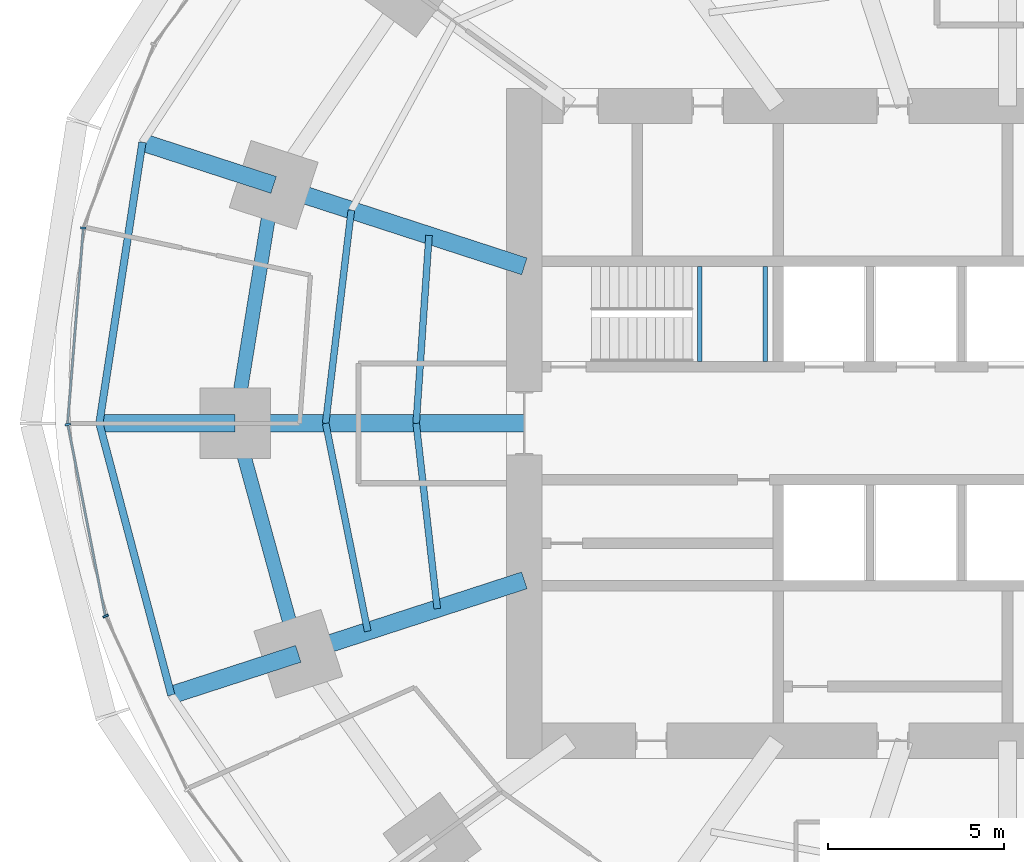
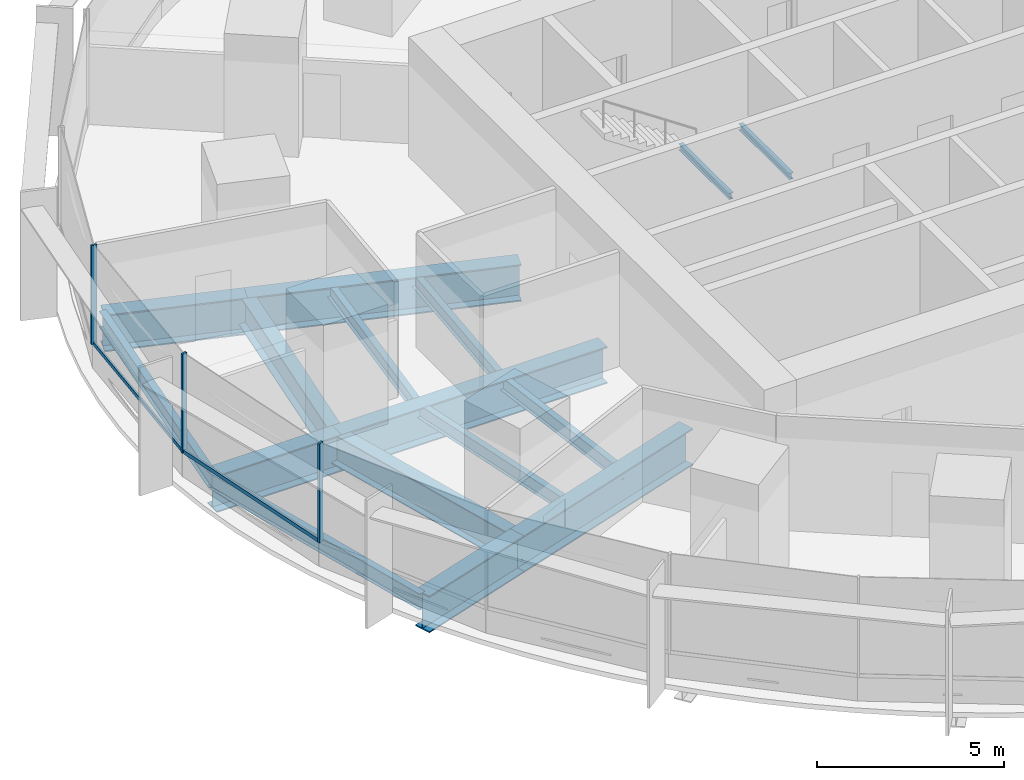
# One storey, part 4 of 15: 16 beams, 5 members, 2 elements without a shape of their own.
"""IFC4 building model written with IfcOpenShell, lengths in metres."""

from ifc_helpers import new_model, si_unit, direction, frame, origin, origin_2d, place, context, subcontext, project, spatial, rectangle, i_section, extrude, material, material_profile, profile_set, type_object, element, aggregate, save


model = new_model("IFC4")

# Units and contexts
model_context = context("Model", 3, precision=1e-05, world=origin(), true_north=direction((0.0, 1.0)))
body_context = subcontext(model_context, "Body", "Model", "MODEL_VIEW")
ifc_project = project(units=[si_unit("LENGTHUNIT", "METRE"), si_unit("AREAUNIT", "SQUARE_METRE"), si_unit("VOLUMEUNIT", "CUBIC_METRE"), si_unit("PLANEANGLEUNIT", "RADIAN"), si_unit("MASSUNIT", "GRAM", prefix="KILO")], contexts=[model_context])

# Site, building, storey
site_placement = place(None, origin())
site = spatial("IfcSite", under=ifc_project, at=site_placement, CompositionType="ELEMENT")
building_placement = place(site_placement, origin())
building = spatial("IfcBuilding", under=site, at=building_placement, Name="Marramba Exchange Tower", CompositionType="ELEMENT")
storey_placement = place(building_placement, frame((0.0, 0.0, 61.60009765625)))
storey = spatial("IfcBuildingStorey", under=building, at=storey_placement, Name="L14", CompositionType="ELEMENT", Elevation=61.60009765625)

# Beams
ifc_material_1 = material(Name="Steel AS/NZS 3679.2 grade 300", Category="steel")
ifc_material_profile_1 = material_profile(ifc_material_1, i_section(OverallWidth=0.5, OverallDepth=1.199951171875, WebThickness=0.01611328125, FlangeThickness=0.0400390625, at=origin_2d()), Name="1200WB455")
ifc_profile_set_1 = profile_set([ifc_material_profile_1], Name="Steel AS/NZS 3679.2 grade 300")
beam_type_1 = type_object("IfcBeamType", Name="Cantilever girder 1200WB455", PredefinedType="BEAM", material=ifc_profile_set_1)
beam_1_placement = place(storey_placement, frame((-20.808349609375, 6.760986328125, -0.760009765625), z_axis=(-0.951058833549, 0.309009862508, 0.0), x_axis=(-0.309009862508, -0.951058833549, 0.0)))
element("IfcBeam", 1, at=beam_1_placement, inside=storey, type_object=beam_type_1, Name="Cantilever girder L14 TC10", PredefinedType="BEAM", context=body_context, shape_type="SweptSolid", body=[
    extrude(i_section(OverallWidth=0.5, OverallDepth=1.199951171875, WebThickness=0.01611328125, FlangeThickness=0.0400390625, at=origin_2d()), origin(), (0.0, 0.0, 1.0), 3.91162109375),
])
beam_2_placement = place(storey_placement, frame((-21.89990234375, 0.0, -0.760009765625), z_axis=(-1.0, 0.0, 0.0), x_axis=(0.0, -1.0, 0.0)))
element("IfcBeam", 2, at=beam_2_placement, inside=storey, type_object=beam_type_1, Name="Cantilever girder L14 TC11", PredefinedType="BEAM", context=body_context, shape_type="SweptSolid", body=[
    extrude(i_section(OverallWidth=0.5, OverallDepth=1.199951171875, WebThickness=0.01611328125, FlangeThickness=0.0400390625, at=origin_2d()), origin(), (0.0, 0.0, 1.0), 3.85009765625),
])
beam_3_placement = place(storey_placement, frame((-20.109375, -6.533935546875, -0.760009765625), z_axis=(-0.951048759501, -0.309040866314, 0.0), x_axis=(0.309040866314, -0.951048759501, 0.0)))
element("IfcBeam", 3, at=beam_3_placement, inside=storey, type_object=beam_type_1, Name="Cantilever girder L14 TC12", PredefinedType="BEAM", context=body_context, shape_type="SweptSolid", body=[
    extrude(i_section(OverallWidth=0.5, OverallDepth=1.199951171875, WebThickness=0.01611328125, FlangeThickness=0.0400390625, at=origin_2d()), origin(), (0.0, 0.0, 1.0), 3.78564453125),
])
ifc_material_2 = material(Name="Steel AS/NZS 3679.1 grade 300", Category="steel")
ifc_material_profile_2 = material_profile(ifc_material_2, i_section(OverallWidth=0.18994140625, OverallDepth=0.4541015625, WebThickness=0.008544921875, FlangeThickness=0.0126953125, FilletRadius=0.011474609375, at=origin_2d()), Name="460UB67.1")
ifc_profile_set_2 = profile_set([ifc_material_profile_2], Name="Steel AS/NZS 3679.1 grade 300")
beam_type_2 = type_object("IfcBeamType", Name="Floor joist 460UB67.1", PredefinedType="JOIST", material=ifc_profile_set_2)
beam_4_placement = place(storey_placement, frame((-16.40283203125, 5.32958984375, -0.38720703125), z_axis=(-0.068096259546, -0.99767875563, 0.0), x_axis=(0.99767875563, -0.068096259546, 0.0)))
element("IfcBeam", 4, at=beam_4_placement, inside=storey, type_object=beam_type_2, Name="Joist L14 bay 10 row 1", PredefinedType="JOIST", context=body_context, shape_type="SweptSolid", body=[
    extrude(i_section(OverallWidth=0.18994140625, OverallDepth=0.4541015625, WebThickness=0.008544921875, FlangeThickness=0.0126953125, FilletRadius=0.011474609375, at=origin_2d()), origin(), (0.0, 0.0, 1.0), 5.342041015625),
])
beam_5_placement = place(storey_placement, frame((-18.60546875, 6.04541015625, -0.38720703125), z_axis=(-0.119523078538, -0.992831422597, 0.0), x_axis=(0.992831422597, -0.119523078538, 0.0)))
element("IfcBeam", 5, at=beam_5_placement, inside=storey, type_object=beam_type_2, Name="Joist L14 bay 10 row 2", PredefinedType="JOIST", context=body_context, shape_type="SweptSolid", body=[
    extrude(i_section(OverallWidth=0.18994140625, OverallDepth=0.4541015625, WebThickness=0.008544921875, FlangeThickness=0.0126953125, FilletRadius=0.011474609375, at=origin_2d()), origin(), (0.0, 0.0, 1.0), 6.089111328125),
])
beam_6_placement = place(storey_placement, frame((-16.7666015625, 0.0, -0.38720703125), z_axis=(0.112888968594, -0.993607609054, 0.0), x_axis=(0.993607609054, 0.112888968594, 0.0)))
element("IfcBeam", 6, at=beam_6_placement, inside=storey, type_object=beam_type_2, Name="Joist L14 bay 11 row 1", PredefinedType="JOIST", context=body_context, shape_type="SweptSolid", body=[
    extrude(i_section(OverallWidth=0.18994140625, OverallDepth=0.4541015625, WebThickness=0.008544921875, FlangeThickness=0.0126953125, FilletRadius=0.011474609375, at=origin_2d()), origin(), (0.0, 0.0, 1.0), 5.28759765625),
])
beam_7_placement = place(storey_placement, frame((-19.333251953125, 0.0, -0.38720703125), z_axis=(0.198489047047, -0.980103105904, 0.0), x_axis=(0.980103105904, 0.198489047047, 0.0)))
element("IfcBeam", 7, at=beam_7_placement, inside=storey, type_object=beam_type_2, Name="Joist L14 bay 11 row 2", PredefinedType="JOIST", context=body_context, shape_type="SweptSolid", body=[
    extrude(i_section(OverallWidth=0.18994140625, OverallDepth=0.4541015625, WebThickness=0.008544921875, FlangeThickness=0.0126953125, FilletRadius=0.011474609375, at=origin_2d()), origin(), (0.0, 0.0, 1.0), 6.013427734375),
])
ifc_material_profile_3 = material_profile(ifc_material_1, i_section(OverallWidth=0.5, OverallDepth=1.199951171875, WebThickness=0.01611328125, FlangeThickness=0.0400390625, at=origin_2d()), Name="1200WB455")
ifc_profile_set_3 = profile_set([ifc_material_profile_3], Name="Steel AS/NZS 3679.2 grade 300")
beam_type_3 = type_object("IfcBeamType", Name="Radial girder 1200WB455", PredefinedType="BEAM", material=ifc_profile_set_3)
beam_8_placement = place(storey_placement, frame((-13.699951171875, 4.451416015625, -0.760009765625), z_axis=(-0.951059990189, 0.309006302624, 0.0), x_axis=(-0.309006302624, -0.951059990189, 0.0)))
element("IfcBeam", 8, at=beam_8_placement, inside=storey, type_object=beam_type_3, Name="Radial girder L14 TC10", PredefinedType="BEAM", context=body_context, shape_type="SweptSolid", body=[
    extrude(i_section(OverallWidth=0.5, OverallDepth=1.199951171875, WebThickness=0.01611328125, FlangeThickness=0.0400390625, at=origin_2d()), origin(), (0.0, 0.0, 1.0), 7.47412109375),
])
beam_9_placement = place(storey_placement, frame((-13.699951171875, 0.0, -0.760009765625), z_axis=(-1.0, 0.0, 0.0), x_axis=(0.0, -1.0, 0.0)))
element("IfcBeam", 9, at=beam_9_placement, inside=storey, type_object=beam_type_3, Name="Radial girder L14 TC11", PredefinedType="BEAM", context=body_context, shape_type="SweptSolid", body=[
    extrude(i_section(OverallWidth=0.5, OverallDepth=1.199951171875, WebThickness=0.01611328125, FlangeThickness=0.0400390625, at=origin_2d()), origin(), (0.0, 0.0, 1.0), 8.199951171875),
])
beam_10_placement = place(storey_placement, frame((-13.699951171875, -4.451416015625, -0.760009765625), z_axis=(-0.951057759669, -0.309013167637, 0.0), x_axis=(0.309013167637, -0.951057759669, 0.0)))
element("IfcBeam", 10, at=beam_10_placement, inside=storey, type_object=beam_type_3, Name="Radial girder L14 TC12", PredefinedType="BEAM", context=body_context, shape_type="SweptSolid", body=[
    extrude(i_section(OverallWidth=0.5, OverallDepth=1.199951171875, WebThickness=0.01611328125, FlangeThickness=0.0400390625, at=origin_2d()), origin(), (0.0, 0.0, 1.0), 6.7392578125),
])
ifc_material_profile_4 = material_profile(ifc_material_1, i_section(OverallWidth=0.39990234375, OverallDepth=1.0, WebThickness=0.01611328125, FlangeThickness=0.031982421875, at=origin_2d()), Name="1000WB322")
ifc_profile_set_4 = profile_set([ifc_material_profile_4], Name="Steel AS/NZS 3679.2 grade 300")
beam_type_4 = type_object("IfcBeamType", Name="Ring beam 1000WB322", PredefinedType="SPANDREL", material=ifc_profile_set_4)
beam_11_placement = place(storey_placement, frame((-20.808349609375, 6.760986328125, -0.66015625), z_axis=(-0.159384865399, -0.987216523708, 0.0), x_axis=(0.987216523708, -0.159384865399, 0.0)))
element("IfcBeam", 11, at=beam_11_placement, inside=storey, type_object=beam_type_4, Name="Ring beam L14 TC10-TC11", PredefinedType="SPANDREL", context=body_context, shape_type="SweptSolid", body=[
    extrude(i_section(OverallWidth=0.39990234375, OverallDepth=1.0, WebThickness=0.01611328125, FlangeThickness=0.031982421875, at=origin_2d()), origin(), (0.0, 0.0, 1.0), 6.8486328125),
])
beam_12_placement = place(storey_placement, frame((-21.89990234375, 0.0, -0.66015625), z_axis=(0.264291166956, -0.964442937176, 0.0), x_axis=(0.964442937176, 0.264291166956, 0.0)))
element("IfcBeam", 12, at=beam_12_placement, inside=storey, type_object=beam_type_4, Name="Ring beam L14 TC11-TC12", PredefinedType="SPANDREL", context=body_context, shape_type="SweptSolid", body=[
    extrude(i_section(OverallWidth=0.39990234375, OverallDepth=1.0, WebThickness=0.01611328125, FlangeThickness=0.031982421875, at=origin_2d()), origin(), (0.0, 0.0, 1.0), 6.77490234375),
])
ifc_material_profile_5 = material_profile(ifc_material_2, i_section(OverallWidth=0.208984375, OverallDepth=0.528076171875, WebThickness=0.009521484375, FlangeThickness=0.01318359375, FilletRadius=0.013916015625, at=origin_2d()), Name="530UB82.0")
ifc_profile_set_5 = profile_set([ifc_material_profile_5], Name="Steel AS/NZS 3679.1 grade 300")
beam_type_5 = type_object("IfcBeamType", Name="Slab edge beam 530UB82.0", PredefinedType="SPANDREL", material=ifc_profile_set_5)
beam_13_placement = place(storey_placement, frame((-24.528564453125, 7.9697265625, -0.424072265625), z_axis=(-0.151490591645, -0.988458699513, 0.0), x_axis=(0.988458699513, -0.151490591645, 0.0)))
element("IfcBeam", 13, at=beam_13_placement, inside=storey, type_object=beam_type_5, Name="Slab edge beam L14 TC10-TC11", PredefinedType="SPANDREL", context=body_context, shape_type="SweptSolid", body=[
    extrude(i_section(OverallWidth=0.208984375, OverallDepth=0.528076171875, WebThickness=0.009521484375, FlangeThickness=0.01318359375, FilletRadius=0.013916015625, at=origin_2d()), origin(), (0.0, 0.0, 1.0), 8.062744140625),
])
beam_14_placement = place(storey_placement, frame((-25.75, 0.0, -0.424072265625), z_axis=(0.25601296674, -0.966673347549, 0.0), x_axis=(0.966673347549, 0.25601296674, 0.0)))
element("IfcBeam", 14, at=beam_14_placement, inside=storey, type_object=beam_type_5, Name="Slab edge beam L14 TC11-TC12", PredefinedType="SPANDREL", context=body_context, shape_type="SweptSolid", body=[
    extrude(i_section(OverallWidth=0.208984375, OverallDepth=0.528076171875, WebThickness=0.009521484375, FlangeThickness=0.01318359375, FilletRadius=0.013916015625, at=origin_2d()), origin(), (0.0, 0.0, 1.0), 7.969482421875),
])
ifc_material_profile_6 = material_profile(ifc_material_2, i_section(OverallWidth=0.133056640625, OverallDepth=0.202880859375, WebThickness=0.005859375, FlangeThickness=0.0078125, FilletRadius=0.0087890625, at=origin_2d()), Name="200UB25.4")
ifc_profile_set_6 = profile_set([ifc_material_profile_6], Name="Steel AS/NZS 3679.1 grade 300")
beam_type_6 = type_object("IfcBeamType", Name="Stair landing beam 200UB25.4", PredefinedType="BEAM", material=ifc_profile_set_6)
for number, where, z_axis, x_axis, name in (
    (15, (-8.723388671875, 1.75, 1.79833984375), (0.0, 1.0, 0.0), (-1.0, 0.0, 0.0), "Stair landing beam SLB1 ST1 L14 1"),
    (16, (-6.866455078125, 1.75, 1.79833984375), (0.0, 1.0, 0.0), (-1.0, 0.0, 0.0), "Stair landing beam SLB1 ST1 L14 2"),
):
    element("IfcBeam", number, at=place(storey_placement, frame(where, z_axis=z_axis, x_axis=x_axis)), inside=storey, type_object=beam_type_6, Name=name, PredefinedType="BEAM", context=body_context, shape_type="SweptSolid", body=[
        extrude(i_section(OverallWidth=0.133056640625, OverallDepth=0.202880859375, WebThickness=0.005859375, FlangeThickness=0.0078125, FilletRadius=0.0087890625, at=origin_2d()), origin(), (0.0, 0.0, 1.0), 2.699951171875),
    ])

# Curtain wall, member
ifc_material_3 = material(Name="Aluminium framing, bronze anodised", Category="aluminium")
curtain_wall_type = type_object("IfcCurtainWallType", Name="Trading floor ribbon curtain wall", PredefinedType="USERDEFINED", material=ifc_material_3)
curtain_wall_1_placement = place(storey_placement, origin())
curtain_wall_1 = element("IfcCurtainWall", 17, at=curtain_wall_1_placement, inside=storey, type_object=curtain_wall_type, Name="Curtain wall CW3 L14 F11-F15", ObjectType="RIBBON CURTAIN WALL", PredefinedType="USERDEFINED")
ifc_material_4 = material(Name="Aluminium mullion, bronze anodised", Category="aluminium")
ifc_material_profile_7 = material_profile(ifc_material_4, rectangle(XDim=0.159912109375, YDim=0.06005859375, at=origin_2d()), Name="CW3 mullion 60x160")
ifc_profile_set_7 = profile_set([ifc_material_profile_7], Name="Aluminium mullion, bronze anodised")
member_type_1 = type_object("IfcMemberType", Name="Trading floor ribbon curtain wall mullion", PredefinedType="MULLION", material=ifc_profile_set_7)
member_1_placement = place(storey_placement, frame((-26.203857421875, 5.539306640625, 0.7998046875), z_axis=(0.0, 0.0, 1.0), x_axis=(0.996772736434, -0.080275225953, 0.0)))
member_1 = element("IfcMember", 18, at=member_1_placement, type_object=member_type_1, Name="CW3 mullion 1", PredefinedType="MULLION", context=body_context, shape_type="SweptSolid", body=[
    extrude(rectangle(XDim=0.159912109375, YDim=0.06005859375, at=origin_2d()), origin(), (0.0, 0.0, 1.0), 3.239990234375),
])

# Curtain wall, members
curtain_wall_2_placement = place(storey_placement, origin())
curtain_wall_2 = element("IfcCurtainWall", 19, at=curtain_wall_2_placement, inside=storey, type_object=curtain_wall_type, Name="Curtain wall CW3 L14 F16-F20", ObjectType="RIBBON CURTAIN WALL", PredefinedType="USERDEFINED")
member_2_placement = place(storey_placement, frame((-26.644287109375, -0.029541015625, 0.7998046875), z_axis=(0.0, 0.0, 1.0), x_axis=(0.981346261612, 0.1922485756, 0.0)))
member_2 = element("IfcMember", 20, at=member_2_placement, type_object=member_type_1, Name="CW3 mullion 1", PredefinedType="MULLION", context=body_context, shape_type="SweptSolid", body=[
    extrude(rectangle(XDim=0.159912109375, YDim=0.06005859375, at=origin_2d()), origin(), (0.0, 0.0, 1.0), 3.239990234375),
])
member_3_placement = place(storey_placement, frame((-25.572021484375, -5.46533203125, 0.7998046875), z_axis=(0.0, 0.0, 1.0), x_axis=(0.905906758768, 0.423477206492, 0.0)))
member_3 = element("IfcMember", 21, at=member_3_placement, type_object=member_type_1, Name="CW3 mullion 1", PredefinedType="MULLION", context=body_context, shape_type="SweptSolid", body=[
    extrude(rectangle(XDim=0.159912109375, YDim=0.06005859375, at=origin_2d()), origin(), (0.0, 0.0, 1.0), 3.239990234375),
])

# Member
ifc_material_5 = material(Name="Aluminium transom, bronze anodised", Category="aluminium")
ifc_material_profile_8 = material_profile(ifc_material_5, rectangle(XDim=0.06005859375, YDim=0.1201171875, at=origin_2d()), Name="CW3 transom 60x120")
ifc_profile_set_8 = profile_set([ifc_material_profile_8], Name="Aluminium transom, bronze anodised")
member_type_2 = type_object("IfcMemberType", Name="Trading floor ribbon curtain wall transom", PredefinedType="USERDEFINED", material=ifc_profile_set_8)
member_4_placement = place(storey_placement, frame((-26.206298828125, 5.509521484375, 0.829833984375), z_axis=(-0.080256075865, -0.996774278504, 0.0), x_axis=(0.996774278504, -0.080256075865, 0.0)))
member_4 = element("IfcMember", 22, at=member_4_placement, type_object=member_type_2, Name="CW3 sill transom", ObjectType="TRANSOM", PredefinedType="USERDEFINED", context=body_context, shape_type="SweptSolid", body=[
    extrude(rectangle(XDim=0.06005859375, YDim=0.1201171875, at=origin_2d()), origin(), (0.0, 0.0, 1.0), 5.52734375),
])

aggregate(curtain_wall_1, [member_1, member_4])

member_5_placement = place(storey_placement, frame((-26.638427734375, -0.058837890625, 0.829833984375), z_axis=(0.192226081646, -0.981350667975, 0.0), x_axis=(0.981350667975, 0.192226081646, 0.0)))
member_5 = element("IfcMember", 23, at=member_5_placement, type_object=member_type_2, Name="CW3 sill transom", ObjectType="TRANSOM", PredefinedType="USERDEFINED", context=body_context, shape_type="SweptSolid", body=[
    extrude(rectangle(XDim=0.06005859375, YDim=0.1201171875, at=origin_2d()), origin(), (0.0, 0.0, 1.0), 5.481689453125),
])

aggregate(curtain_wall_2, [member_2, member_5, member_3])

save(model, "model.ifc")
